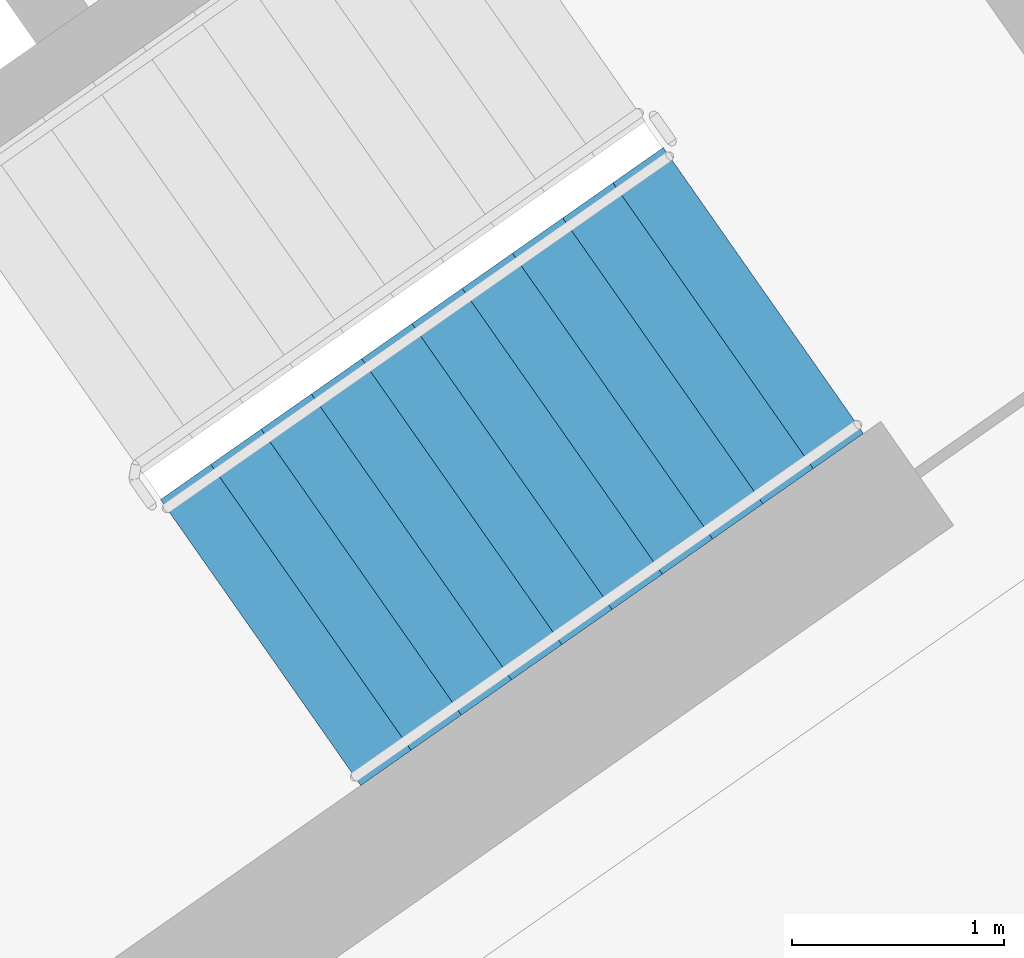
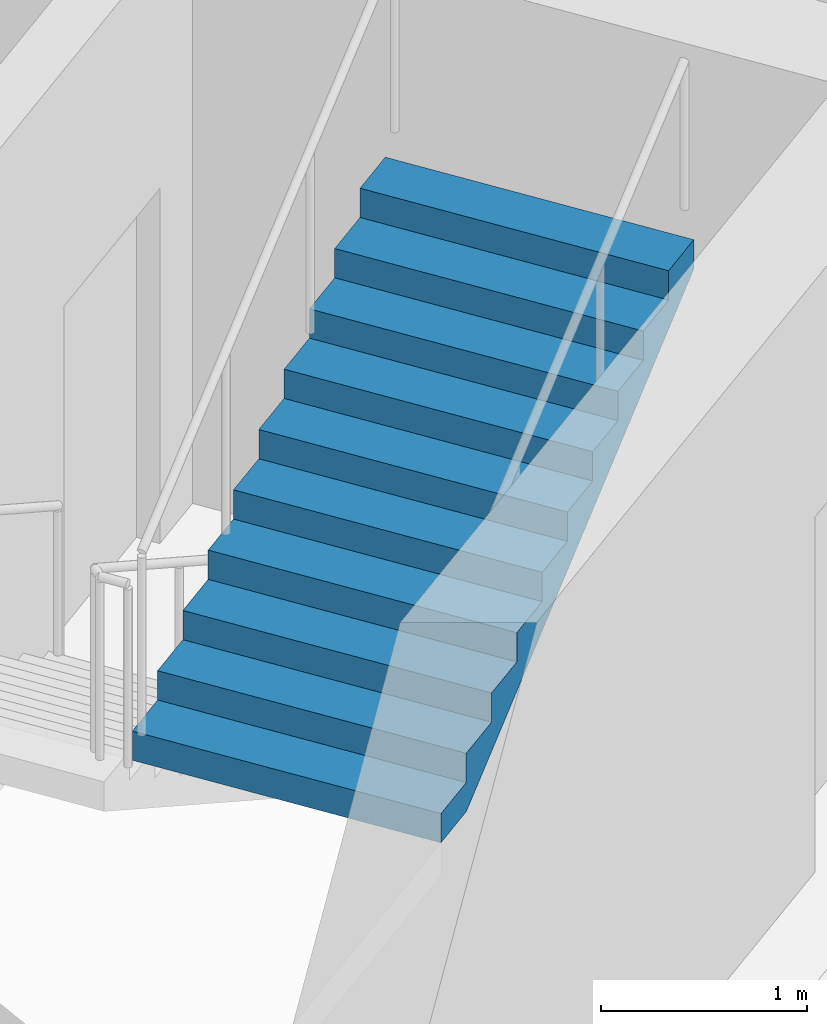
# One storey, part 13 of 29: 1 stair flight, 1 element without a shape of its own.
"""IFC4 building model written with IfcOpenShell, lengths in metres."""

import ifcopenshell
import ifcopenshell.guid

model = None  # the IFC model being written
_history = None  # IfcOwnerHistory: only IFC2X3 demands one
_inside = {}  # id of a spatial element -> (the spatial element, [elements in it])
_under = {}  # id of a project, library or spatial element -> (it, [spatial elements below it])
_declared = {}  # id of a project -> (the project, [libraries it declares])
_typed = {}  # id of a type object -> (the type object, [elements of that type])
_made_of = {}  # id of a material, layer set ... -> (it, [elements and type objects made of it])


def new_model(schema):
    """Start an empty IFC model of exactly this schema.

    Asked for "IFC4X3", IfcOpenShell would pick the latest addendum, in which some entities
    have other attributes; the version numbers below select the first issue.
    IFC2X3 requires an IfcOwnerHistory on every rooted entity: one is made here for all.
    """
    global model, _history
    if schema == "IFC4X3":
        model = ifcopenshell.file(schema_version=(4, 3, 0, 0))
    else:
        model = ifcopenshell.file(schema=schema)
    _inside.clear()
    _under.clear()
    _declared.clear()
    _typed.clear()
    _made_of.clear()
    _history = None
    if model.schema == "IFC2X3":
        org = make("IfcOrganization", Name="unknown")
        user = make(
            "IfcPersonAndOrganization",
            ThePerson=make("IfcPerson", FamilyName="unknown"),
            TheOrganization=org,
        )
        app = make(
            "IfcApplication",
            ApplicationDeveloper=org,
            Version="unknown",
            ApplicationFullName="unknown",
            ApplicationIdentifier="unknown",
        )
        _history = make(
            "IfcOwnerHistory",
            OwningUser=user,
            OwningApplication=app,
            ChangeAction="ADDED",
            CreationDate=0,
        )
    return model


def make(cls, **values):
    """One entity of the class cls with the attributes given. An attribute that is None is left unset."""
    return model.create_entity(
        cls, **{name: value for name, value in values.items() if value is not None}
    )


def rooted(cls, **values):
    """An entity with a GlobalId (a new one), such as an element, a storey or a relation."""
    return make(cls, GlobalId=ifcopenshell.guid.new(), OwnerHistory=_history, **values)


def si_unit(unit_type, name, prefix=None):
    """IfcSIUnit, for example si_unit("LENGTHUNIT", "METRE", prefix="MILLI")."""
    return make("IfcSIUnit", UnitType=unit_type, Prefix=prefix, Name=name)


def assignment(units):
    """IfcUnitAssignment: the units of a project."""
    return None if units is None else make("IfcUnitAssignment", Units=units)


def point(xyz):
    """IfcCartesianPoint."""
    return None if xyz is None else make("IfcCartesianPoint", Coordinates=xyz)


def direction(xyz):
    """IfcDirection."""
    return None if xyz is None else make("IfcDirection", DirectionRatios=xyz)


def frame(location, z_axis=None, x_axis=None):
    """IfcAxis2Placement3D, a coordinate frame: its origin and axes. An axis left out is left unset."""
    return make(
        "IfcAxis2Placement3D",
        Location=point(location),
        Axis=direction(z_axis),
        RefDirection=direction(x_axis),
    )


def origin():
    """The frame at (0, 0, 0) with its axes left unset."""
    return frame((0.0, 0.0, 0.0))


def place(relative_to, where):
    """IfcLocalPlacement: puts the frame where relative to a parent placement (None: the world)."""
    return make(
        "IfcLocalPlacement", PlacementRelTo=relative_to, RelativePlacement=where
    )


def context(
    kind, dimensions, precision=None, world=None, true_north=None, identifier=None
):
    """IfcGeometricRepresentationContext, for example the 3D "Model" context."""
    return make(
        "IfcGeometricRepresentationContext",
        ContextIdentifier=identifier,
        ContextType=kind,
        CoordinateSpaceDimension=dimensions,
        Precision=precision,
        WorldCoordinateSystem=world,
        TrueNorth=true_north,
    )


def subcontext(parent, identifier, kind, view, scale=None):
    """IfcGeometricRepresentationSubContext, for example "Body" below "Model"."""
    return make(
        "IfcGeometricRepresentationSubContext",
        ContextIdentifier=identifier,
        ContextType=kind,
        ParentContext=parent,
        TargetScale=scale,
        TargetView=view,
    )


def project(units=None, contexts=None):
    """IfcProject with its units and contexts."""
    return rooted(
        "IfcProject",
        Name="project",
        RepresentationContexts=contexts,
        UnitsInContext=assignment(units),
    )


def spatial(cls, under=None, at=None, **own):
    """A site, building, storey or space (cls), placed at a placement, below another one or the project."""
    s = rooted(cls, ObjectPlacement=at, **own)
    if under is not None:
        _under.setdefault(under.id(), (under, []))[1].append(s)
    return s


def faces_of(points, faces, orient=None, outer=None):
    """IfcFace entities. A face is a list of loops; a loop is a list of indices into points, from 0.

    orient and outer hold one flag for each loop. By default every Orientation is true, the
    first loop of a face is its IfcFaceOuterBound and the others are IfcFaceBound.
    """
    made = []
    for i, loops in enumerate(faces):
        bounds = []
        for j, loop in enumerate(loops):
            is_outer = j == 0 if outer is None else outer[i][j]
            bounds.append(
                make(
                    "IfcFaceOuterBound" if is_outer else "IfcFaceBound",
                    Bound=make("IfcPolyLoop", Polygon=[points[k] for k in loop]),
                    Orientation=True if orient is None else orient[i][j],
                )
            )
        made.append(make("IfcFace", Bounds=bounds))
    return made


def faceted_brep(points, faces, orient=None, outer=None, voids=None):
    """IfcFacetedBrep: a solid bounded by flat faces; with voids (closed shells), ...WithVoids."""
    shared = [point(p) for p in points]
    hull = make("IfcClosedShell", CfsFaces=faces_of(shared, faces, orient, outer))
    if voids is None:
        return make("IfcFacetedBrep", Outer=hull)
    return make(
        "IfcFacetedBrepWithVoids",
        Outer=hull,
        Voids=[
            make(cls, CfsFaces=faces_of(shared, fs, o, b)) for cls, fs, o, b in voids
        ],
    )


def shape(context_of_items, identifier, shape_type, items):
    """IfcShapeRepresentation: the items that make up one representation, for example the "Body"."""
    return make(
        "IfcShapeRepresentation",
        ContextOfItems=context_of_items,
        RepresentationIdentifier=identifier,
        RepresentationType=shape_type,
        Items=items,
    )


def material(Name=None, Category=None):
    """IfcMaterial."""
    return make("IfcMaterial", Name=Name, Category=Category)


def made_of(thing, what):
    """Note that an element or type object is made of a material, layer set ...; save() writes the relation."""
    if what is not None:
        _made_of.setdefault(what.id(), (what, []))[1].append(thing)
    return thing


def type_object(cls, material=None, **own):
    """A type object (cls), such as IfcWallType, which elements share."""
    return made_of(rooted(cls, **own), material)


def element(
    cls,
    number,
    at=None,
    inside=None,
    cuts=None,
    type_object=None,
    material=None,
    context=None,
    identifier="Body",
    shape_type=None,
    held_by="IfcProductDefinitionShape",
    body=None,
    shapes=None,
    **own,
):
    """One element of the class cls, such as IfcWall. Its Tag is "e" and its number.

    at: its placement. inside: the storey or other place that contains it. cuts: it is an
    opening in that element (IfcRelVoidsElement). A single representation is given by context,
    identifier, shape_type and body (its items); several are given by shapes. held_by: the class
    of the entity that holds the representations. save() writes the other relations.
    """
    e = rooted(cls, Tag="e%d" % number, ObjectPlacement=at, **own)
    if body is not None:
        shapes = [shape(context, identifier, shape_type, body)]
    if shapes is not None:
        e.Representation = make(held_by, Representations=shapes)
    if inside is not None:
        _inside.setdefault(inside.id(), (inside, []))[1].append(e)
    if cuts is not None:
        rooted(
            "IfcRelVoidsElement", RelatingBuildingElement=cuts, RelatedOpeningElement=e
        )
    if type_object is not None:
        _typed.setdefault(type_object.id(), (type_object, []))[1].append(e)
    return made_of(e, material)


def aggregate(whole, parts):
    """IfcRelAggregates: a whole, such as a stair, and the parts it consists of."""
    return rooted("IfcRelAggregates", RelatingObject=whole, RelatedObjects=parts)


def save(model, path):
    """Write the relations noted so far, then the file.

    IfcRelAggregates (storeys below a building ...), IfcRelContainedInSpatialStructure (elements
    in a storey), IfcRelDefinesByType, IfcRelAssociatesMaterial and IfcRelDeclares: one each for
    every whole, place, type object, material and project.
    """
    for whole, parts in _under.values():
        aggregate(whole, parts)
    for where, things in _inside.values():
        rooted(
            "IfcRelContainedInSpatialStructure",
            RelatedElements=things,
            RelatingStructure=where,
        )
    for kind, things in _typed.values():
        rooted("IfcRelDefinesByType", RelatedObjects=things, RelatingType=kind)
    for what, things in _made_of.values():
        rooted("IfcRelAssociatesMaterial", RelatedObjects=things, RelatingMaterial=what)
    for by, libraries in _declared.values():
        rooted("IfcRelDeclares", RelatingContext=by, RelatedDefinitions=libraries)
    model.write(path)


model = new_model("IFC4")

# Units and contexts
model_context = context("Model", 3, precision=1e-05, world=origin(), true_north=direction((0.0, 1.0)))
body_context = subcontext(model_context, "Body", "Model", "MODEL_VIEW")
ifc_project = project(units=[si_unit("LENGTHUNIT", "METRE"), si_unit("AREAUNIT", "SQUARE_METRE"), si_unit("VOLUMEUNIT", "CUBIC_METRE"), si_unit("PLANEANGLEUNIT", "RADIAN"), si_unit("MASSUNIT", "GRAM", prefix="KILO")], contexts=[model_context])

# Site, building, storey
site_placement = place(None, origin())
site = spatial("IfcSite", under=ifc_project, at=site_placement, CompositionType="ELEMENT")
building_placement = place(site_placement, origin())
building = spatial("IfcBuilding", under=site, at=building_placement, Name="Qamariyya Broadcast Tower", CompositionType="ELEMENT")
storey_placement = place(building_placement, frame((0.0, 0.0, 261.89990234375)))
storey = spatial("IfcBuildingStorey", under=building, at=storey_placement, Name="L63", CompositionType="ELEMENT", Elevation=261.89990234375)

# Stair, stair flight
ifc_material = material(Name="Concrete C50/60", Category="concrete")
stair_type = type_object("IfcStairType", Name="Exit stair 22 risers of 173 mm", PredefinedType="HALF_TURN_STAIR", material=ifc_material)
stair_placement = place(storey_placement, origin())
stair = element("IfcStair", 1, at=stair_placement, inside=storey, type_object=stair_type, Name="L63 Stair E1", PredefinedType="HALF_TURN_STAIR")
stair_flight_type = type_object("IfcStairFlightType", Name="Exit stair flight 11 risers of 173 mm", PredefinedType="STRAIGHT", material=ifc_material)
stair_flight_placement = place(storey_placement, frame((44.693359375, -58.64599609375, 1.900146484375), z_axis=(0.0, 0.0, 1.0), x_axis=(0.819152044289, 0.573576436351, 0.0)))
stair_flight = element("IfcStairFlight", 2, at=stair_flight_placement, type_object=stair_flight_type, Name="ST-E1 flight 2", NumberOfRisers=11, NumberOfTreads=10, PredefinedType="STRAIGHT", RiserHeight=0.172727273, TreadLength=0.29, context=body_context, shape_type="Brep", body=[
    faceted_brep([(0.0, 0.824951171875, 0.0), (0.0, 0.824951171875, 0.172607421875), (0.2900390625, 0.824951171875, 0.172607421875), (0.2900390625, 0.824951171875, 0.345458984375), (0.580078125, 0.824951171875, 0.345458984375), (0.580078125, 0.824951171875, 0.51806640625), (0.8701171875, 0.824951171875, 0.51806640625), (0.8701171875, 0.824951171875, 0.69091796875), (1.159912109375, 0.824951171875, 0.69091796875), (1.159912109375, 0.824951171875, 0.863525390625), (1.449951171875, 0.824951171875, 0.863525390625), (1.449951171875, 0.824951171875, 1.036376953125), (1.739990234375, 0.824951171875, 1.036376953125), (1.739990234375, 0.824951171875, 1.208984375), (2.030029296875, 0.824951171875, 1.208984375), (2.030029296875, 0.824951171875, 1.3818359375), (2.320068359375, 0.824951171875, 1.3818359375), (2.320068359375, 0.824951171875, 1.554443359375), (2.610107421875, 0.824951171875, 1.554443359375), (2.610107421875, 0.824951171875, 1.727294921875), (2.89990234375, 0.824951171875, 1.727294921875), (2.89990234375, 0.824951171875, 1.552734375), (0.29296875, 0.824951171875, 0.0), (0.29296875, -0.824951171875, 0.0), (2.89990234375, -0.824951171875, 1.552734375), (2.89990234375, -0.824951171875, 1.727294921875), (2.610107421875, -0.824951171875, 1.727294921875), (2.610107421875, -0.824951171875, 1.554443359375), (2.320068359375, -0.824951171875, 1.554443359375), (2.320068359375, -0.824951171875, 1.3818359375), (2.030029296875, -0.824951171875, 1.3818359375), (2.030029296875, -0.824951171875, 1.208984375), (1.739990234375, -0.824951171875, 1.208984375), (1.739990234375, -0.824951171875, 1.036376953125), (1.449951171875, -0.824951171875, 1.036376953125), (1.449951171875, -0.824951171875, 0.863525390625), (1.159912109375, -0.824951171875, 0.863525390625), (1.159912109375, -0.824951171875, 0.69091796875), (0.8701171875, -0.824951171875, 0.69091796875), (0.8701171875, -0.824951171875, 0.51806640625), (0.580078125, -0.824951171875, 0.51806640625), (0.580078125, -0.824951171875, 0.345458984375), (0.2900390625, -0.824951171875, 0.345458984375), (0.2900390625, -0.824951171875, 0.172607421875), (0.0, -0.824951171875, 0.172607421875), (0.0, -0.824951171875, 0.0), (0.0, 0.10009765625, 0.0), (0.0, 0.086669921875, 0.0), (0.0, 0.0732421875, 0.0), (0.0, 0.06005859375, 0.0), (0.0, 0.046630859375, 0.0), (0.0, 0.033447265625, 0.0), (0.0, 0.02001953125, 0.0), (0.0, 0.006591796875, 0.0), (0.0, -0.006591796875, 0.0), (0.0, -0.02001953125, 0.0), (0.0, -0.033447265625, 0.0), (0.0, -0.046630859375, 0.0), (0.0, -0.06005859375, 0.0), (0.0, -0.0732421875, 0.0), (0.0, -0.086669921875, 0.0), (0.0, -0.10009765625, 0.0), (0.0, -0.10009765625, 0.172607421875), (0.0, -0.086669921875, 0.172607421875), (0.0, -0.0732421875, 0.172607421875), (0.0, -0.06005859375, 0.172607421875), (0.0, -0.046630859375, 0.172607421875), (0.0, -0.033447265625, 0.172607421875), (0.0, -0.02001953125, 0.172607421875), (0.0, -0.006591796875, 0.172607421875), (0.0, 0.006591796875, 0.172607421875), (0.0, 0.02001953125, 0.172607421875), (0.0, 0.033447265625, 0.172607421875), (0.0, 0.046630859375, 0.172607421875), (0.0, 0.06005859375, 0.172607421875), (0.0, 0.0732421875, 0.172607421875), (0.0, 0.086669921875, 0.172607421875), (0.0, 0.10009765625, 0.172607421875), (0.2900390625, -0.10009765625, 0.172607421875), (0.2900390625, -0.086669921875, 0.172607421875), (0.2900390625, -0.0732421875, 0.172607421875), (0.2900390625, -0.06005859375, 0.172607421875), (0.2900390625, -0.046630859375, 0.172607421875), (0.2900390625, -0.033447265625, 0.172607421875), (0.2900390625, -0.02001953125, 0.172607421875), (0.2900390625, -0.006591796875, 0.172607421875), (0.2900390625, 0.006591796875, 0.172607421875), (0.2900390625, 0.02001953125, 0.172607421875), (0.2900390625, 0.033447265625, 0.172607421875), (0.2900390625, 0.046630859375, 0.172607421875), (0.2900390625, 0.06005859375, 0.172607421875), (0.2900390625, 0.0732421875, 0.172607421875), (0.2900390625, 0.086669921875, 0.172607421875), (0.2900390625, 0.10009765625, 0.172607421875), (0.2900390625, -0.10009765625, 0.345458984375), (0.2900390625, -0.086669921875, 0.345458984375), (0.2900390625, -0.0732421875, 0.345458984375), (0.2900390625, -0.06005859375, 0.345458984375), (0.2900390625, -0.046630859375, 0.345458984375), (0.2900390625, -0.033447265625, 0.345458984375), (0.2900390625, -0.02001953125, 0.345458984375), (0.2900390625, -0.006591796875, 0.345458984375), (0.2900390625, 0.006591796875, 0.345458984375), (0.2900390625, 0.02001953125, 0.345458984375), (0.2900390625, 0.033447265625, 0.345458984375), (0.2900390625, 0.046630859375, 0.345458984375), (0.2900390625, 0.06005859375, 0.345458984375), (0.2900390625, 0.0732421875, 0.345458984375), (0.2900390625, 0.086669921875, 0.345458984375), (0.2900390625, 0.10009765625, 0.345458984375), (0.580078125, -0.10009765625, 0.345458984375), (0.580078125, -0.086669921875, 0.345458984375), (0.580078125, -0.0732421875, 0.345458984375), (0.580078125, -0.06005859375, 0.345458984375), (0.580078125, -0.046630859375, 0.345458984375), (0.580078125, -0.033447265625, 0.345458984375), (0.580078125, -0.02001953125, 0.345458984375), (0.580078125, -0.006591796875, 0.345458984375), (0.580078125, 0.006591796875, 0.345458984375), (0.580078125, 0.02001953125, 0.345458984375), (0.580078125, 0.033447265625, 0.345458984375), (0.580078125, 0.046630859375, 0.345458984375), (0.580078125, 0.06005859375, 0.345458984375), (0.580078125, 0.0732421875, 0.345458984375), (0.580078125, 0.086669921875, 0.345458984375), (0.580078125, 0.10009765625, 0.345458984375), (0.580078125, -0.10009765625, 0.51806640625), (0.580078125, -0.086669921875, 0.51806640625), (0.580078125, -0.0732421875, 0.51806640625), (0.580078125, -0.06005859375, 0.51806640625), (0.580078125, -0.046630859375, 0.51806640625), (0.580078125, -0.033447265625, 0.51806640625), (0.580078125, -0.02001953125, 0.51806640625), (0.580078125, -0.006591796875, 0.51806640625), (0.580078125, 0.006591796875, 0.51806640625), (0.580078125, 0.02001953125, 0.51806640625), (0.580078125, 0.033447265625, 0.51806640625), (0.580078125, 0.046630859375, 0.51806640625), (0.580078125, 0.06005859375, 0.51806640625), (0.580078125, 0.0732421875, 0.51806640625), (0.580078125, 0.086669921875, 0.51806640625), (0.580078125, 0.10009765625, 0.51806640625), (0.8701171875, -0.10009765625, 0.51806640625), (0.8701171875, -0.086669921875, 0.51806640625), (0.8701171875, -0.0732421875, 0.51806640625), (0.8701171875, -0.06005859375, 0.51806640625), (0.8701171875, -0.046630859375, 0.51806640625), (0.8701171875, -0.033447265625, 0.51806640625), (0.8701171875, -0.02001953125, 0.51806640625), (0.8701171875, -0.006591796875, 0.51806640625), (0.8701171875, 0.006591796875, 0.51806640625), (0.8701171875, 0.02001953125, 0.51806640625), (0.8701171875, 0.033447265625, 0.51806640625), (0.8701171875, 0.046630859375, 0.51806640625), (0.8701171875, 0.06005859375, 0.51806640625), (0.8701171875, 0.0732421875, 0.51806640625), (0.8701171875, 0.086669921875, 0.51806640625), (0.8701171875, 0.10009765625, 0.51806640625), (0.8701171875, -0.10009765625, 0.69091796875), (0.8701171875, -0.086669921875, 0.69091796875), (0.8701171875, -0.0732421875, 0.69091796875), (0.8701171875, -0.06005859375, 0.69091796875), (0.8701171875, -0.046630859375, 0.69091796875), (0.8701171875, -0.033447265625, 0.69091796875), (0.8701171875, -0.02001953125, 0.69091796875), (0.8701171875, -0.006591796875, 0.69091796875), (0.8701171875, 0.006591796875, 0.69091796875), (0.8701171875, 0.02001953125, 0.69091796875), (0.8701171875, 0.033447265625, 0.69091796875), (0.8701171875, 0.046630859375, 0.69091796875), (0.8701171875, 0.06005859375, 0.69091796875), (0.8701171875, 0.0732421875, 0.69091796875), (0.8701171875, 0.086669921875, 0.69091796875), (0.8701171875, 0.10009765625, 0.69091796875), (1.159912109375, -0.10009765625, 0.69091796875), (1.159912109375, -0.086669921875, 0.69091796875), (1.159912109375, -0.0732421875, 0.69091796875), (1.159912109375, -0.06005859375, 0.69091796875), (1.159912109375, -0.046630859375, 0.69091796875), (1.159912109375, -0.033447265625, 0.69091796875), (1.159912109375, -0.02001953125, 0.69091796875), (1.159912109375, -0.006591796875, 0.69091796875), (1.159912109375, 0.006591796875, 0.69091796875), (1.159912109375, 0.02001953125, 0.69091796875), (1.159912109375, 0.033447265625, 0.69091796875), (1.159912109375, 0.046630859375, 0.69091796875), (1.159912109375, 0.06005859375, 0.69091796875), (1.159912109375, 0.0732421875, 0.69091796875), (1.159912109375, 0.086669921875, 0.69091796875), (1.159912109375, 0.10009765625, 0.69091796875), (1.159912109375, -0.10009765625, 0.863525390625), (1.159912109375, -0.086669921875, 0.863525390625), (1.159912109375, -0.0732421875, 0.863525390625), (1.159912109375, -0.06005859375, 0.863525390625), (1.159912109375, -0.046630859375, 0.863525390625), (1.159912109375, -0.033447265625, 0.863525390625), (1.159912109375, -0.02001953125, 0.863525390625), (1.159912109375, -0.006591796875, 0.863525390625), (1.159912109375, 0.006591796875, 0.863525390625), (1.159912109375, 0.02001953125, 0.863525390625), (1.159912109375, 0.033447265625, 0.863525390625), (1.159912109375, 0.046630859375, 0.863525390625), (1.159912109375, 0.06005859375, 0.863525390625), (1.159912109375, 0.0732421875, 0.863525390625), (1.159912109375, 0.086669921875, 0.863525390625), (1.159912109375, 0.10009765625, 0.863525390625), (1.449951171875, -0.10009765625, 0.863525390625), (1.449951171875, -0.086669921875, 0.863525390625), (1.449951171875, -0.0732421875, 0.863525390625), (1.449951171875, -0.06005859375, 0.863525390625), (1.449951171875, -0.046630859375, 0.863525390625), (1.449951171875, -0.033447265625, 0.863525390625), (1.449951171875, -0.02001953125, 0.863525390625), (1.449951171875, -0.006591796875, 0.863525390625), (1.449951171875, 0.006591796875, 0.863525390625), (1.449951171875, 0.02001953125, 0.863525390625), (1.449951171875, 0.033447265625, 0.863525390625), (1.449951171875, 0.046630859375, 0.863525390625), (1.449951171875, 0.06005859375, 0.863525390625), (1.449951171875, 0.0732421875, 0.863525390625), (1.449951171875, 0.086669921875, 0.863525390625), (1.449951171875, 0.10009765625, 0.863525390625), (1.449951171875, -0.10009765625, 1.036376953125), (1.449951171875, -0.086669921875, 1.036376953125), (1.449951171875, -0.0732421875, 1.036376953125), (1.449951171875, -0.06005859375, 1.036376953125), (1.449951171875, -0.046630859375, 1.036376953125), (1.449951171875, -0.033447265625, 1.036376953125), (1.449951171875, -0.02001953125, 1.036376953125), (1.449951171875, -0.006591796875, 1.036376953125), (1.449951171875, 0.006591796875, 1.036376953125), (1.449951171875, 0.02001953125, 1.036376953125), (1.449951171875, 0.033447265625, 1.036376953125), (1.449951171875, 0.046630859375, 1.036376953125), (1.449951171875, 0.06005859375, 1.036376953125), (1.449951171875, 0.0732421875, 1.036376953125), (1.449951171875, 0.086669921875, 1.036376953125), (1.449951171875, 0.10009765625, 1.036376953125), (1.739990234375, -0.10009765625, 1.036376953125), (1.739990234375, -0.086669921875, 1.036376953125), (1.739990234375, -0.0732421875, 1.036376953125), (1.739990234375, -0.06005859375, 1.036376953125), (1.739990234375, -0.046630859375, 1.036376953125), (1.739990234375, -0.033447265625, 1.036376953125), (1.739990234375, -0.02001953125, 1.036376953125), (1.739990234375, -0.006591796875, 1.036376953125), (1.739990234375, 0.006591796875, 1.036376953125), (1.739990234375, 0.02001953125, 1.036376953125), (1.739990234375, 0.033447265625, 1.036376953125), (1.739990234375, 0.046630859375, 1.036376953125), (1.739990234375, 0.06005859375, 1.036376953125), (1.739990234375, 0.0732421875, 1.036376953125), (1.739990234375, 0.086669921875, 1.036376953125), (1.739990234375, 0.10009765625, 1.036376953125), (1.739990234375, -0.10009765625, 1.208984375), (1.739990234375, -0.086669921875, 1.208984375), (1.739990234375, -0.0732421875, 1.208984375), (1.739990234375, -0.06005859375, 1.208984375), (1.739990234375, -0.046630859375, 1.208984375), (1.739990234375, -0.033447265625, 1.208984375), (1.739990234375, -0.02001953125, 1.208984375), (1.739990234375, -0.006591796875, 1.208984375), (1.739990234375, 0.006591796875, 1.208984375), (1.739990234375, 0.02001953125, 1.208984375), (1.739990234375, 0.033447265625, 1.208984375), (1.739990234375, 0.046630859375, 1.208984375), (1.739990234375, 0.06005859375, 1.208984375), (1.739990234375, 0.0732421875, 1.208984375), (1.739990234375, 0.086669921875, 1.208984375), (1.739990234375, 0.10009765625, 1.208984375), (2.030029296875, -0.10009765625, 1.208984375), (2.030029296875, -0.086669921875, 1.208984375), (2.030029296875, -0.0732421875, 1.208984375), (2.030029296875, -0.06005859375, 1.208984375), (2.030029296875, -0.046630859375, 1.208984375), (2.030029296875, -0.033447265625, 1.208984375), (2.030029296875, -0.02001953125, 1.208984375), (2.030029296875, -0.006591796875, 1.208984375), (2.030029296875, 0.006591796875, 1.208984375), (2.030029296875, 0.02001953125, 1.208984375), (2.030029296875, 0.033447265625, 1.208984375), (2.030029296875, 0.046630859375, 1.208984375), (2.030029296875, 0.06005859375, 1.208984375), (2.030029296875, 0.0732421875, 1.208984375), (2.030029296875, 0.086669921875, 1.208984375), (2.030029296875, 0.10009765625, 1.208984375), (2.030029296875, -0.10009765625, 1.3818359375), (2.030029296875, -0.086669921875, 1.3818359375), (2.030029296875, -0.0732421875, 1.3818359375), (2.030029296875, -0.06005859375, 1.3818359375), (2.030029296875, -0.046630859375, 1.3818359375), (2.030029296875, -0.033447265625, 1.3818359375), (2.030029296875, -0.02001953125, 1.3818359375), (2.030029296875, -0.006591796875, 1.3818359375), (2.030029296875, 0.006591796875, 1.3818359375), (2.030029296875, 0.02001953125, 1.3818359375), (2.030029296875, 0.033447265625, 1.3818359375), (2.030029296875, 0.046630859375, 1.3818359375), (2.030029296875, 0.06005859375, 1.3818359375), (2.030029296875, 0.0732421875, 1.3818359375), (2.030029296875, 0.086669921875, 1.3818359375), (2.030029296875, 0.10009765625, 1.3818359375), (2.320068359375, -0.10009765625, 1.3818359375), (2.320068359375, -0.086669921875, 1.3818359375), (2.320068359375, -0.0732421875, 1.3818359375), (2.320068359375, -0.06005859375, 1.3818359375), (2.320068359375, -0.046630859375, 1.3818359375), (2.320068359375, -0.033447265625, 1.3818359375), (2.320068359375, -0.02001953125, 1.3818359375), (2.320068359375, -0.006591796875, 1.3818359375), (2.320068359375, 0.006591796875, 1.3818359375), (2.320068359375, 0.02001953125, 1.3818359375), (2.320068359375, 0.033447265625, 1.3818359375), (2.320068359375, 0.046630859375, 1.3818359375), (2.320068359375, 0.06005859375, 1.3818359375), (2.320068359375, 0.0732421875, 1.3818359375), (2.320068359375, 0.086669921875, 1.3818359375), (2.320068359375, 0.10009765625, 1.3818359375), (2.320068359375, -0.10009765625, 1.554443359375), (2.320068359375, -0.086669921875, 1.554443359375), (2.320068359375, -0.0732421875, 1.554443359375), (2.320068359375, -0.06005859375, 1.554443359375), (2.320068359375, -0.046630859375, 1.554443359375), (2.320068359375, -0.033447265625, 1.554443359375), (2.320068359375, -0.02001953125, 1.554443359375), (2.320068359375, -0.006591796875, 1.554443359375), (2.320068359375, 0.006591796875, 1.554443359375), (2.320068359375, 0.02001953125, 1.554443359375), (2.320068359375, 0.033447265625, 1.554443359375), (2.320068359375, 0.046630859375, 1.554443359375), (2.320068359375, 0.06005859375, 1.554443359375), (2.320068359375, 0.0732421875, 1.554443359375), (2.320068359375, 0.086669921875, 1.554443359375), (2.320068359375, 0.10009765625, 1.554443359375), (2.610107421875, -0.10009765625, 1.554443359375), (2.610107421875, -0.086669921875, 1.554443359375), (2.610107421875, -0.0732421875, 1.554443359375), (2.610107421875, -0.06005859375, 1.554443359375), (2.610107421875, -0.046630859375, 1.554443359375), (2.610107421875, -0.033447265625, 1.554443359375), (2.610107421875, -0.02001953125, 1.554443359375), (2.610107421875, -0.006591796875, 1.554443359375), (2.610107421875, 0.006591796875, 1.554443359375), (2.610107421875, 0.02001953125, 1.554443359375), (2.610107421875, 0.033447265625, 1.554443359375), (2.610107421875, 0.046630859375, 1.554443359375), (2.610107421875, 0.06005859375, 1.554443359375), (2.610107421875, 0.0732421875, 1.554443359375), (2.610107421875, 0.086669921875, 1.554443359375), (2.610107421875, 0.10009765625, 1.554443359375), (2.610107421875, -0.10009765625, 1.727294921875), (2.610107421875, -0.086669921875, 1.727294921875), (2.610107421875, -0.0732421875, 1.727294921875), (2.610107421875, -0.06005859375, 1.727294921875), (2.610107421875, -0.046630859375, 1.727294921875), (2.610107421875, -0.033447265625, 1.727294921875), (2.610107421875, -0.02001953125, 1.727294921875), (2.610107421875, -0.006591796875, 1.727294921875), (2.610107421875, 0.006591796875, 1.727294921875), (2.610107421875, 0.02001953125, 1.727294921875), (2.610107421875, 0.033447265625, 1.727294921875), (2.610107421875, 0.046630859375, 1.727294921875), (2.610107421875, 0.06005859375, 1.727294921875), (2.610107421875, 0.0732421875, 1.727294921875), (2.610107421875, 0.086669921875, 1.727294921875), (2.610107421875, 0.10009765625, 1.727294921875), (2.89990234375, -0.10009765625, 1.727294921875), (2.89990234375, -0.086669921875, 1.727294921875), (2.89990234375, -0.0732421875, 1.727294921875), (2.89990234375, -0.06005859375, 1.727294921875), (2.89990234375, -0.046630859375, 1.727294921875), (2.89990234375, -0.033447265625, 1.727294921875), (2.89990234375, -0.02001953125, 1.727294921875), (2.89990234375, -0.006591796875, 1.727294921875), (2.89990234375, 0.006591796875, 1.727294921875), (2.89990234375, 0.02001953125, 1.727294921875), (2.89990234375, 0.033447265625, 1.727294921875), (2.89990234375, 0.046630859375, 1.727294921875), (2.89990234375, 0.06005859375, 1.727294921875), (2.89990234375, 0.0732421875, 1.727294921875), (2.89990234375, 0.086669921875, 1.727294921875), (2.89990234375, 0.10009765625, 1.727294921875), (2.89990234375, -0.10009765625, 1.552734375), (2.89990234375, -0.086669921875, 1.552734375), (2.89990234375, -0.0732421875, 1.552734375), (2.89990234375, -0.06005859375, 1.552734375), (2.89990234375, -0.046630859375, 1.552734375), (2.89990234375, -0.033447265625, 1.552734375), (2.89990234375, -0.02001953125, 1.552734375), (2.89990234375, -0.006591796875, 1.552734375), (2.89990234375, 0.006591796875, 1.552734375), (2.89990234375, 0.02001953125, 1.552734375), (2.89990234375, 0.033447265625, 1.552734375), (2.89990234375, 0.046630859375, 1.552734375), (2.89990234375, 0.06005859375, 1.552734375), (2.89990234375, 0.0732421875, 1.552734375), (2.89990234375, 0.086669921875, 1.552734375), (2.89990234375, 0.10009765625, 1.552734375), (0.29296875, -0.10009765625, 0.0), (0.29296875, -0.086669921875, 0.0), (0.29296875, -0.0732421875, 0.0), (0.29296875, -0.06005859375, 0.0), (0.29296875, -0.046630859375, 0.0), (0.29296875, -0.033447265625, 0.0), (0.29296875, -0.02001953125, 0.0), (0.29296875, -0.006591796875, 0.0), (0.29296875, 0.006591796875, 0.0), (0.29296875, 0.02001953125, 0.0), (0.29296875, 0.033447265625, 0.0), (0.29296875, 0.046630859375, 0.0), (0.29296875, 0.06005859375, 0.0), (0.29296875, 0.0732421875, 0.0), (0.29296875, 0.086669921875, 0.0), (0.29296875, 0.10009765625, 0.0)], [[[0, 1, 2, 3, 4, 5, 6, 7, 8, 9, 10, 11, 12, 13, 14, 15, 16, 17, 18, 19, 20, 21, 22]], [[23, 24, 25, 26, 27, 28, 29, 30, 31, 32, 33, 34, 35, 36, 37, 38, 39, 40, 41, 42, 43, 44, 45]], [[0, 46, 47, 48, 49, 50, 51, 52, 53, 54, 55, 56, 57, 58, 59, 60, 61, 45, 44, 62, 63, 64, 65, 66, 67, 68, 69, 70, 71, 72, 73, 74, 75, 76, 77, 1]], [[1, 77, 76, 75, 74, 73, 72, 71, 70, 69, 68, 67, 66, 65, 64, 63, 62, 44, 43, 78, 79, 80, 81, 82, 83, 84, 85, 86, 87, 88, 89, 90, 91, 92, 93, 2]], [[2, 93, 92, 91, 90, 89, 88, 87, 86, 85, 84, 83, 82, 81, 80, 79, 78, 43, 42, 94, 95, 96, 97, 98, 99, 100, 101, 102, 103, 104, 105, 106, 107, 108, 109, 3]], [[3, 109, 108, 107, 106, 105, 104, 103, 102, 101, 100, 99, 98, 97, 96, 95, 94, 42, 41, 110, 111, 112, 113, 114, 115, 116, 117, 118, 119, 120, 121, 122, 123, 124, 125, 4]], [[4, 125, 124, 123, 122, 121, 120, 119, 118, 117, 116, 115, 114, 113, 112, 111, 110, 41, 40, 126, 127, 128, 129, 130, 131, 132, 133, 134, 135, 136, 137, 138, 139, 140, 141, 5]], [[5, 141, 140, 139, 138, 137, 136, 135, 134, 133, 132, 131, 130, 129, 128, 127, 126, 40, 39, 142, 143, 144, 145, 146, 147, 148, 149, 150, 151, 152, 153, 154, 155, 156, 157, 6]], [[6, 157, 156, 155, 154, 153, 152, 151, 150, 149, 148, 147, 146, 145, 144, 143, 142, 39, 38, 158, 159, 160, 161, 162, 163, 164, 165, 166, 167, 168, 169, 170, 171, 172, 173, 7]], [[7, 173, 172, 171, 170, 169, 168, 167, 166, 165, 164, 163, 162, 161, 160, 159, 158, 38, 37, 174, 175, 176, 177, 178, 179, 180, 181, 182, 183, 184, 185, 186, 187, 188, 189, 8]], [[8, 189, 188, 187, 186, 185, 184, 183, 182, 181, 180, 179, 178, 177, 176, 175, 174, 37, 36, 190, 191, 192, 193, 194, 195, 196, 197, 198, 199, 200, 201, 202, 203, 204, 205, 9]], [[9, 205, 204, 203, 202, 201, 200, 199, 198, 197, 196, 195, 194, 193, 192, 191, 190, 36, 35, 206, 207, 208, 209, 210, 211, 212, 213, 214, 215, 216, 217, 218, 219, 220, 221, 10]], [[10, 221, 220, 219, 218, 217, 216, 215, 214, 213, 212, 211, 210, 209, 208, 207, 206, 35, 34, 222, 223, 224, 225, 226, 227, 228, 229, 230, 231, 232, 233, 234, 235, 236, 237, 11]], [[11, 237, 236, 235, 234, 233, 232, 231, 230, 229, 228, 227, 226, 225, 224, 223, 222, 34, 33, 238, 239, 240, 241, 242, 243, 244, 245, 246, 247, 248, 249, 250, 251, 252, 253, 12]], [[12, 253, 252, 251, 250, 249, 248, 247, 246, 245, 244, 243, 242, 241, 240, 239, 238, 33, 32, 254, 255, 256, 257, 258, 259, 260, 261, 262, 263, 264, 265, 266, 267, 268, 269, 13]], [[13, 269, 268, 267, 266, 265, 264, 263, 262, 261, 260, 259, 258, 257, 256, 255, 254, 32, 31, 270, 271, 272, 273, 274, 275, 276, 277, 278, 279, 280, 281, 282, 283, 284, 285, 14]], [[14, 285, 284, 283, 282, 281, 280, 279, 278, 277, 276, 275, 274, 273, 272, 271, 270, 31, 30, 286, 287, 288, 289, 290, 291, 292, 293, 294, 295, 296, 297, 298, 299, 300, 301, 15]], [[15, 301, 300, 299, 298, 297, 296, 295, 294, 293, 292, 291, 290, 289, 288, 287, 286, 30, 29, 302, 303, 304, 305, 306, 307, 308, 309, 310, 311, 312, 313, 314, 315, 316, 317, 16]], [[16, 317, 316, 315, 314, 313, 312, 311, 310, 309, 308, 307, 306, 305, 304, 303, 302, 29, 28, 318, 319, 320, 321, 322, 323, 324, 325, 326, 327, 328, 329, 330, 331, 332, 333, 17]], [[17, 333, 332, 331, 330, 329, 328, 327, 326, 325, 324, 323, 322, 321, 320, 319, 318, 28, 27, 334, 335, 336, 337, 338, 339, 340, 341, 342, 343, 344, 345, 346, 347, 348, 349, 18]], [[18, 349, 348, 347, 346, 345, 344, 343, 342, 341, 340, 339, 338, 337, 336, 335, 334, 27, 26, 350, 351, 352, 353, 354, 355, 356, 357, 358, 359, 360, 361, 362, 363, 364, 365, 19]], [[19, 365, 364, 363, 362, 361, 360, 359, 358, 357, 356, 355, 354, 353, 352, 351, 350, 26, 25, 366, 367, 368, 369, 370, 371, 372, 373, 374, 375, 376, 377, 378, 379, 380, 381, 20]], [[20, 381, 380, 379, 378, 377, 376, 375, 374, 373, 372, 371, 370, 369, 368, 367, 366, 25, 24, 382, 383, 384, 385, 386, 387, 388, 389, 390, 391, 392, 393, 394, 395, 396, 397, 21]], [[21, 397, 396, 395, 394, 393, 392, 391, 390, 389, 388, 387, 386, 385, 384, 383, 382, 24, 23, 398, 399, 400, 401, 402, 403, 404, 405, 406, 407, 408, 409, 410, 411, 412, 413, 22]], [[22, 413, 412, 411, 410, 409, 408, 407, 406, 405, 404, 403, 402, 401, 400, 399, 398, 23, 45, 61, 60, 59, 58, 57, 56, 55, 54, 53, 52, 51, 50, 49, 48, 47, 46, 0]]]),
])
aggregate(stair, [stair_flight])

save(model, "model.ifc")
